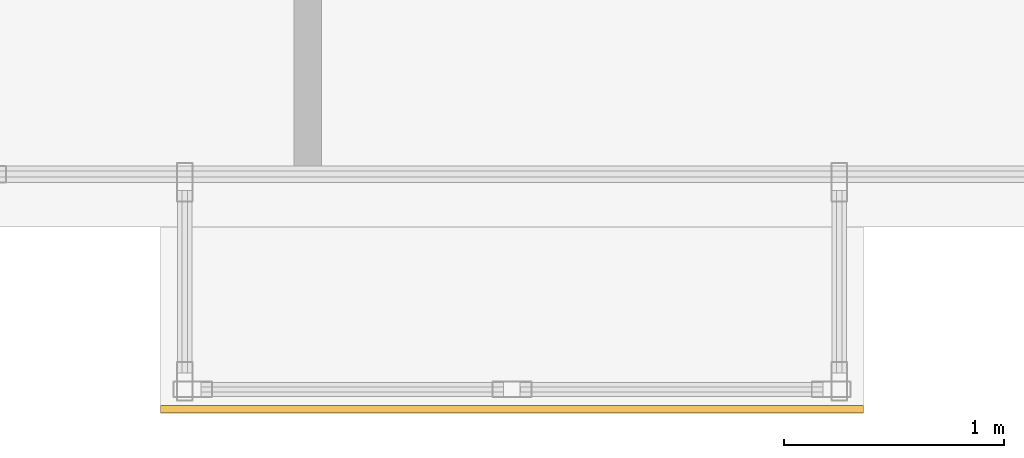
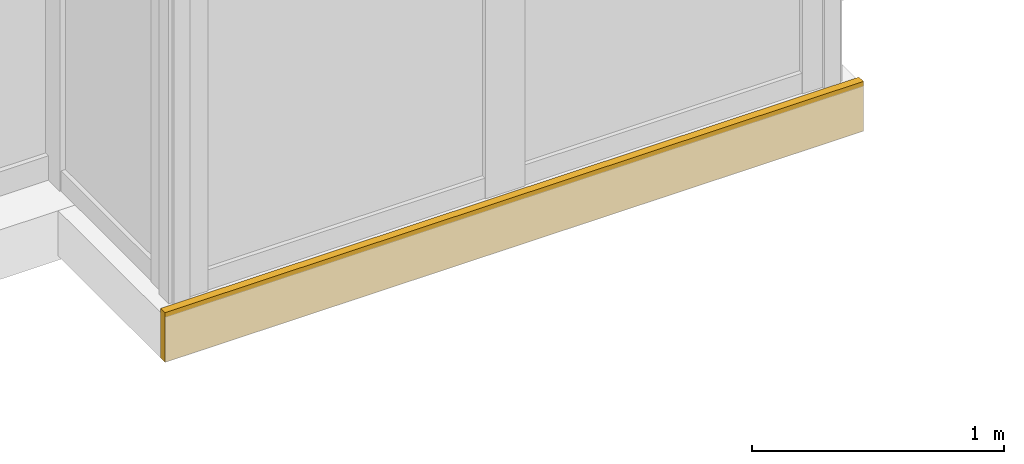
# One storey, part 23 of 24: 1 covering.
"""IFC4 building model written with IfcOpenShell, lengths in metres."""

from ifc_helpers import new_model, si_unit, direction, frame, origin, origin_2d, place, context, subcontext, project, spatial, rectangle, extrude, material, layer, layer_set, type_object, element, save


model = new_model("IFC4")

# Units and contexts
model_context = context("Model", 3, precision=1e-05, world=origin(), true_north=direction((0.0, 1.0)))
body_context = subcontext(model_context, "Body", "Model", "MODEL_VIEW")
ifc_project = project(units=[si_unit("LENGTHUNIT", "METRE"), si_unit("AREAUNIT", "SQUARE_METRE"), si_unit("VOLUMEUNIT", "CUBIC_METRE"), si_unit("PLANEANGLEUNIT", "RADIAN"), si_unit("MASSUNIT", "GRAM", prefix="KILO")], contexts=[model_context])

# Site, building, storey
site_placement = place(None, origin())
site = spatial("IfcSite", under=ifc_project, at=site_placement, CompositionType="ELEMENT")
building_placement = place(site_placement, origin())
building = spatial("IfcBuilding", under=site, at=building_placement, Name="Kolvaren Waterfront Exchange", CompositionType="ELEMENT")
storey_placement = place(building_placement, frame((0.0, 0.0, 316.0)))
storey = spatial("IfcBuildingStorey", under=building, at=storey_placement, Name="L81", CompositionType="ELEMENT", Elevation=316.0)

# Covering
ifc_material = material(Name="Anodised bronze fascia aluminium", Category="aluminium")
ifc_layer = layer(ifc_material, 0.034912109375, Name="Anodised bronze fascia aluminium")
ifc_layer_set = layer_set([ifc_layer], Name="Anodised bronze fascia aluminium")
covering_type = type_object("IfcCoveringType", Name="ARC-CLAD-BRONZE-35", PredefinedType="CLADDING", material=ifc_layer_set)
covering_placement = place(storey_placement, frame((36.300048828125, 2.77001953125, -0.22021484375), z_axis=(0.0, 0.0, 1.0), x_axis=(1.0, 0.0, 0.0)))
element("IfcCovering", 1, at=covering_placement, inside=storey, type_object=covering_type, Name="L81 ribbed anodised bronze bay-box fascia", PredefinedType="CLADDING", context=body_context, shape_type="SweptSolid", body=[
    extrude(rectangle(XDim=3.199951171875, YDim=0.034912109375, at=origin_2d()), origin(), (0.0, 0.0, 1.0), 0.239990234375),
])

save(model, "model.ifc")
